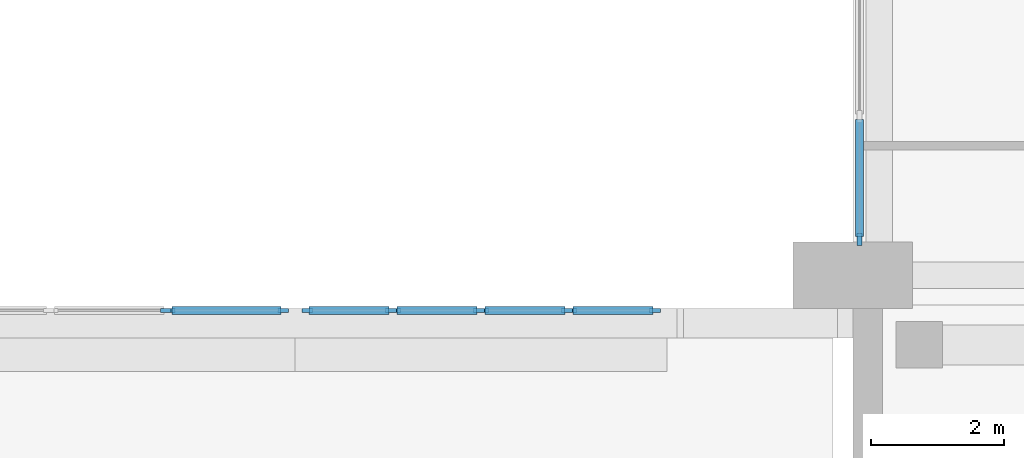
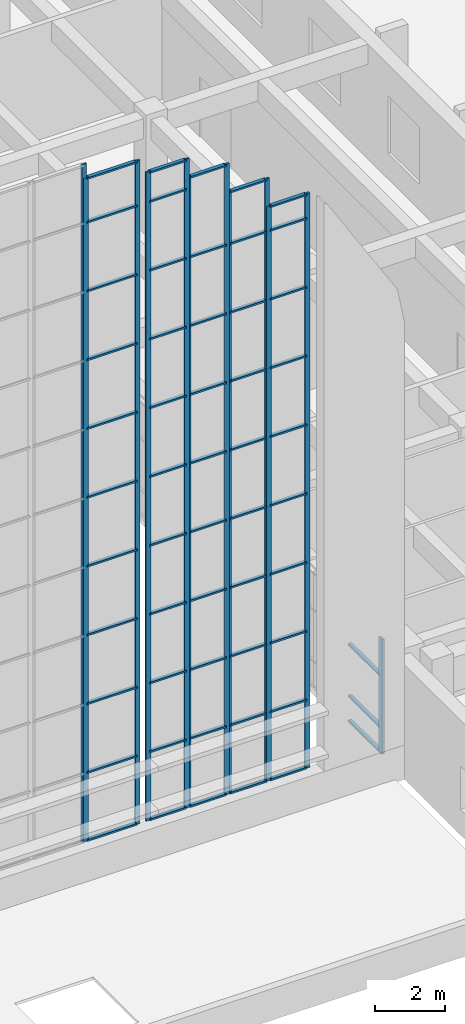
# One storey, part 5 of 45: 67 members, 7 elements without a shape of their own.
"""IFC4 building model written with IfcOpenShell, lengths in metres."""

from ifc_helpers import new_model, si_unit, direction, frame, origin, origin_2d, place, context, subcontext, project, spatial, rectangle, extrude, material, material_profile, profile_set, type_object, element, aggregate, save


model = new_model("IFC4")

# Units and contexts
model_context = context("Model", 3, precision=1e-05, world=origin(), true_north=direction((0.0, 1.0)))
body_context = subcontext(model_context, "Body", "Model", "MODEL_VIEW")
ifc_project = project(units=[si_unit("LENGTHUNIT", "METRE"), si_unit("AREAUNIT", "SQUARE_METRE"), si_unit("VOLUMEUNIT", "CUBIC_METRE"), si_unit("PLANEANGLEUNIT", "RADIAN"), si_unit("MASSUNIT", "GRAM", prefix="KILO")], contexts=[model_context])

# Site, building, storey
site_placement = place(None, origin())
site = spatial("IfcSite", under=ifc_project, at=site_placement, CompositionType="ELEMENT")
building_placement = place(site_placement, origin())
building = spatial("IfcBuilding", under=site, at=building_placement, Name="Elmora Arch Market Hall", CompositionType="ELEMENT")
storey_placement = place(building_placement, frame((0.0, 0.0, 6.0)))
storey = spatial("IfcBuildingStorey", under=building, at=storey_placement, Name="L01", CompositionType="ELEMENT", Elevation=6.0)

# Curtain wall, member
ifc_material_1 = material(Name="Aluminium", Category="aluminium")
curtain_wall_type_1 = type_object("IfcCurtainWallType", Name="Gable curtain wall", PredefinedType="NOTDEFINED", material=ifc_material_1)
curtain_wall_1_placement = place(storey_placement, origin())
curtain_wall_1 = element("IfcCurtainWall", 1, at=curtain_wall_1_placement, inside=storey, type_object=curtain_wall_type_1, Name="South gable glazing 9", PredefinedType="NOTDEFINED")
ifc_material_2 = material(Name="Aluminium", Category="aluminium")
ifc_material_profile_1 = material_profile(ifc_material_2, rectangle(XDim=0.06005859375, YDim=0.159912109375, at=origin_2d()), Name="AL 60x160")
ifc_profile_set_1 = profile_set([ifc_material_profile_1], Name="Aluminium")
member_type_1 = type_object("IfcMemberType", Name="Mullion 60x160", PredefinedType="MULLION", material=ifc_profile_set_1)
member_1_placement = place(storey_placement, frame((32.6533203125, 26.919921875, 1.199951171875), z_axis=(0.0, 0.0, 1.0), x_axis=(0.0, 1.0, 0.0)))
member_1 = element("IfcMember", 2, at=member_1_placement, type_object=member_type_1, Name="CW8 mullion 2", PredefinedType="MULLION", context=body_context, shape_type="SweptSolid", body=[
    extrude(rectangle(XDim=0.06005859375, YDim=0.159912109375, at=origin_2d()), origin(), (0.0, 0.0, 1.0), 23.650146484375),
])
aggregate(curtain_wall_1, [member_1])

# Curtain wall, members
curtain_wall_2_placement = place(storey_placement, origin())
curtain_wall_2 = element("IfcCurtainWall", 3, at=curtain_wall_2_placement, inside=storey, type_object=curtain_wall_type_1, Name="South gable glazing 10", PredefinedType="NOTDEFINED")
member_2_placement = place(storey_placement, frame((32.71337890625, 26.919921875, 1.199951171875), z_axis=(0.0, 0.0, 1.0), x_axis=(0.0, 1.0, 0.0)))
member_2 = element("IfcMember", 4, at=member_2_placement, type_object=member_type_1, Name="CW8 mullion 1", PredefinedType="MULLION", context=body_context, shape_type="SweptSolid", body=[
    extrude(rectangle(XDim=0.06005859375, YDim=0.159912109375, at=origin_2d()), origin(), (0.0, 0.0, 1.0), 23.157958984375),
])
member_3_placement = place(storey_placement, frame((34.419921875, 26.919921875, 1.199951171875), z_axis=(0.0, 0.0, 1.0), x_axis=(0.0, 1.0, 0.0)))
member_3 = element("IfcMember", 5, at=member_3_placement, type_object=member_type_1, Name="CW8 mullion 2", PredefinedType="MULLION", context=body_context, shape_type="SweptSolid", body=[
    extrude(rectangle(XDim=0.06005859375, YDim=0.159912109375, at=origin_2d()), origin(), (0.0, 0.0, 1.0), 23.157958984375),
])

curtain_wall_3_placement = place(storey_placement, origin())
curtain_wall_3 = element("IfcCurtainWall", 6, at=curtain_wall_3_placement, inside=storey, type_object=curtain_wall_type_1, Name="South gable glazing 11", PredefinedType="NOTDEFINED")
member_4_placement = place(storey_placement, frame((34.780029296875, 26.919921875, 1.199951171875), z_axis=(0.0, 0.0, 1.0), x_axis=(0.0, 1.0, 0.0)))
member_4 = element("IfcMember", 7, at=member_4_placement, type_object=member_type_1, Name="CW8 mullion 1", PredefinedType="MULLION", context=body_context, shape_type="SweptSolid", body=[
    extrude(rectangle(XDim=0.06005859375, YDim=0.159912109375, at=origin_2d()), origin(), (0.0, 0.0, 1.0), 22.64501953125),
])
member_5_placement = place(storey_placement, frame((36.044921875, 26.919921875, 1.199951171875), z_axis=(0.0, 0.0, 1.0), x_axis=(0.0, 1.0, 0.0)))
member_5 = element("IfcMember", 8, at=member_5_placement, type_object=member_type_1, Name="CW8 mullion 2", PredefinedType="MULLION", context=body_context, shape_type="SweptSolid", body=[
    extrude(rectangle(XDim=0.06005859375, YDim=0.159912109375, at=origin_2d()), origin(), (0.0, 0.0, 1.0), 22.64501953125),
])

curtain_wall_4_placement = place(storey_placement, origin())
curtain_wall_4 = element("IfcCurtainWall", 9, at=curtain_wall_4_placement, inside=storey, type_object=curtain_wall_type_1, Name="South gable glazing 12", PredefinedType="NOTDEFINED")
member_6_placement = place(storey_placement, frame((36.10498046875, 26.919921875, 1.199951171875), z_axis=(0.0, 0.0, 1.0), x_axis=(0.0, 1.0, 0.0)))
member_6 = element("IfcMember", 10, at=member_6_placement, type_object=member_type_1, Name="CW8 mullion 1", PredefinedType="MULLION", context=body_context, shape_type="SweptSolid", body=[
    extrude(rectangle(XDim=0.06005859375, YDim=0.159912109375, at=origin_2d()), origin(), (0.0, 0.0, 1.0), 22.007080078125),
])
member_7_placement = place(storey_placement, frame((37.3701171875, 26.919921875, 1.199951171875), z_axis=(0.0, 0.0, 1.0), x_axis=(0.0, 1.0, 0.0)))
member_7 = element("IfcMember", 11, at=member_7_placement, type_object=member_type_1, Name="CW8 mullion 2", PredefinedType="MULLION", context=body_context, shape_type="SweptSolid", body=[
    extrude(rectangle(XDim=0.06005859375, YDim=0.159912109375, at=origin_2d()), origin(), (0.0, 0.0, 1.0), 22.007080078125),
])

curtain_wall_5_placement = place(storey_placement, origin())
curtain_wall_5 = element("IfcCurtainWall", 12, at=curtain_wall_5_placement, inside=storey, type_object=curtain_wall_type_1, Name="South gable glazing 13", PredefinedType="NOTDEFINED")
member_8_placement = place(storey_placement, frame((37.429931640625, 26.919921875, 1.199951171875), z_axis=(0.0, 0.0, 1.0), x_axis=(0.0, 1.0, 0.0)))
member_8 = element("IfcMember", 13, at=member_8_placement, type_object=member_type_1, Name="CW8 mullion 1", PredefinedType="MULLION", context=body_context, shape_type="SweptSolid", body=[
    extrude(rectangle(XDim=0.06005859375, YDim=0.159912109375, at=origin_2d()), origin(), (0.0, 0.0, 1.0), 21.031982421875),
])
member_9_placement = place(storey_placement, frame((38.695068359375, 26.919921875, 1.199951171875), z_axis=(0.0, 0.0, 1.0), x_axis=(0.0, 1.0, 0.0)))
member_9 = element("IfcMember", 14, at=member_9_placement, type_object=member_type_1, Name="CW8 mullion 2", PredefinedType="MULLION", context=body_context, shape_type="SweptSolid", body=[
    extrude(rectangle(XDim=0.06005859375, YDim=0.159912109375, at=origin_2d()), origin(), (0.0, 0.0, 1.0), 21.031982421875),
])

curtain_wall_6_placement = place(storey_placement, origin())
curtain_wall_6 = element("IfcCurtainWall", 15, at=curtain_wall_6_placement, inside=storey, type_object=curtain_wall_type_1, Name="South gable glazing 14", PredefinedType="NOTDEFINED")
member_10_placement = place(storey_placement, frame((38.7548828125, 26.919921875, 1.199951171875), z_axis=(0.0, 0.0, 1.0), x_axis=(0.0, 1.0, 0.0)))
member_10 = element("IfcMember", 16, at=member_10_placement, type_object=member_type_1, Name="CW8 mullion 1", PredefinedType="MULLION", context=body_context, shape_type="SweptSolid", body=[
    extrude(rectangle(XDim=0.06005859375, YDim=0.159912109375, at=origin_2d()), origin(), (0.0, 0.0, 1.0), 20.05810546875),
])
member_11_placement = place(storey_placement, frame((40.02001953125, 26.919921875, 1.199951171875), z_axis=(0.0, 0.0, 1.0), x_axis=(0.0, 1.0, 0.0)))
member_11 = element("IfcMember", 17, at=member_11_placement, type_object=member_type_1, Name="CW8 mullion 2", PredefinedType="MULLION", context=body_context, shape_type="SweptSolid", body=[
    extrude(rectangle(XDim=0.06005859375, YDim=0.159912109375, at=origin_2d()), origin(), (0.0, 0.0, 1.0), 20.05810546875),
])

ifc_material_3 = material(Name="Aluminium", Category="aluminium")
curtain_wall_type_2 = type_object("IfcCurtainWallType", Name="Hall front curtain wall", PredefinedType="NOTDEFINED", material=ifc_material_3)
curtain_wall_7_placement = place(storey_placement, origin())
curtain_wall_7 = element("IfcCurtainWall", 18, at=curtain_wall_7_placement, inside=storey, type_object=curtain_wall_type_2, Name="Wing front E L01 1", PredefinedType="NOTDEFINED")
ifc_material_4 = material(Name="Aluminium", Category="aluminium")
ifc_material_profile_2 = material_profile(ifc_material_4, rectangle(XDim=0.080078125, YDim=0.179931640625, at=origin_2d()), Name="AL 80x180")
ifc_profile_set_2 = profile_set([ifc_material_profile_2], Name="Aluminium")
member_type_2 = type_object("IfcMemberType", Name="Mullion 80x180", PredefinedType="MULLION", material=ifc_profile_set_2)
member_12_placement = place(storey_placement, frame((43.10009765625, 27.989990234375, 0.0), z_axis=(0.0, 0.0, 1.0), x_axis=(-1.0, 0.0, 0.0)))
member_12 = element("IfcMember", 19, at=member_12_placement, type_object=member_type_2, Name="CW2 mullion 1", PredefinedType="MULLION", context=body_context, shape_type="SweptSolid", body=[
    extrude(rectangle(XDim=0.080078125, YDim=0.179931640625, at=origin_2d()), origin(), (0.0, 0.0, 1.0), 4.0),
])
ifc_material_5 = material(Name="Aluminium", Category="aluminium")
ifc_material_profile_3 = material_profile(ifc_material_5, rectangle(XDim=0.1201171875, YDim=0.06005859375, at=origin_2d()), Name="AL 120x60")
ifc_profile_set_3 = profile_set([ifc_material_profile_3], Name="Aluminium")
member_type_3 = type_object("IfcMemberType", Name="Transom 120x60", PredefinedType="USERDEFINED", material=ifc_profile_set_3)
member_13_placement = place(storey_placement, frame((43.10009765625, 28.030029296875, 0.030029296875), z_axis=(0.0, 1.0, 0.0), x_axis=(-1.0, 0.0, 0.0)))
member_13 = element("IfcMember", 20, at=member_13_placement, type_object=member_type_3, Name="CW2 transom 1.1", ObjectType="TRANSOM", PredefinedType="USERDEFINED", context=body_context, shape_type="SweptSolid", body=[
    extrude(rectangle(XDim=0.1201171875, YDim=0.06005859375, at=origin_2d()), origin(), (0.0, 0.0, 1.0), 1.767578125),
])
member_14_placement = place(storey_placement, frame((43.10009765625, 28.030029296875, 0.89990234375), z_axis=(0.0, 1.0, 0.0), x_axis=(-1.0, 0.0, 0.0)))
member_14 = element("IfcMember", 21, at=member_14_placement, type_object=member_type_3, Name="CW2 transom 1.2", ObjectType="TRANSOM", PredefinedType="USERDEFINED", context=body_context, shape_type="SweptSolid", body=[
    extrude(rectangle(XDim=0.1201171875, YDim=0.06005859375, at=origin_2d()), origin(), (0.0, 0.0, 1.0), 1.767578125),
])
member_15_placement = place(storey_placement, frame((43.10009765625, 28.030029296875, 2.699951171875), z_axis=(0.0, 1.0, 0.0), x_axis=(-1.0, 0.0, 0.0)))
member_15 = element("IfcMember", 22, at=member_15_placement, type_object=member_type_3, Name="CW2 transom 1.3", ObjectType="TRANSOM", PredefinedType="USERDEFINED", context=body_context, shape_type="SweptSolid", body=[
    extrude(rectangle(XDim=0.1201171875, YDim=0.06005859375, at=origin_2d()), origin(), (0.0, 0.0, 1.0), 1.767578125),
])
aggregate(curtain_wall_7, [member_12, member_13, member_14, member_15])

# Member
member_16_placement = place(storey_placement, frame((32.743408203125, 26.919921875, 1.22998046875), z_axis=(1.0, 0.0, 0.0), x_axis=(0.0, 1.0, 0.0)))
member_16 = element("IfcMember", 23, at=member_16_placement, type_object=member_type_3, Name="CW8 transom 1.1", ObjectType="TRANSOM", PredefinedType="USERDEFINED", context=body_context, shape_type="SweptSolid", body=[
    extrude(rectangle(XDim=0.1201171875, YDim=0.06005859375, at=origin_2d()), origin(), (0.0, 0.0, 1.0), 1.646484375),
])

member_17_placement = place(storey_placement, frame((32.743408203125, 26.919921875, 3.60009765625), z_axis=(1.0, 0.0, 0.0), x_axis=(0.0, 1.0, 0.0)))
member_17 = element("IfcMember", 24, at=member_17_placement, type_object=member_type_3, Name="CW8 transom 1.2", ObjectType="TRANSOM", PredefinedType="USERDEFINED", context=body_context, shape_type="SweptSolid", body=[
    extrude(rectangle(XDim=0.1201171875, YDim=0.06005859375, at=origin_2d()), origin(), (0.0, 0.0, 1.0), 1.646484375),
])

member_18_placement = place(storey_placement, frame((32.743408203125, 26.919921875, 6.0), z_axis=(1.0, 0.0, 0.0), x_axis=(0.0, 1.0, 0.0)))
member_18 = element("IfcMember", 25, at=member_18_placement, type_object=member_type_3, Name="CW8 transom 1.3", ObjectType="TRANSOM", PredefinedType="USERDEFINED", context=body_context, shape_type="SweptSolid", body=[
    extrude(rectangle(XDim=0.1201171875, YDim=0.06005859375, at=origin_2d()), origin(), (0.0, 0.0, 1.0), 1.646484375),
])

member_19_placement = place(storey_placement, frame((32.743408203125, 26.919921875, 8.39990234375), z_axis=(1.0, 0.0, 0.0), x_axis=(0.0, 1.0, 0.0)))
member_19 = element("IfcMember", 26, at=member_19_placement, type_object=member_type_3, Name="CW8 transom 1.4", ObjectType="TRANSOM", PredefinedType="USERDEFINED", context=body_context, shape_type="SweptSolid", body=[
    extrude(rectangle(XDim=0.1201171875, YDim=0.06005859375, at=origin_2d()), origin(), (0.0, 0.0, 1.0), 1.646484375),
])

member_20_placement = place(storey_placement, frame((32.743408203125, 26.919921875, 10.800048828125), z_axis=(1.0, 0.0, 0.0), x_axis=(0.0, 1.0, 0.0)))
member_20 = element("IfcMember", 27, at=member_20_placement, type_object=member_type_3, Name="CW8 transom 1.5", ObjectType="TRANSOM", PredefinedType="USERDEFINED", context=body_context, shape_type="SweptSolid", body=[
    extrude(rectangle(XDim=0.1201171875, YDim=0.06005859375, at=origin_2d()), origin(), (0.0, 0.0, 1.0), 1.646484375),
])

member_21_placement = place(storey_placement, frame((32.743408203125, 26.919921875, 13.199951171875), z_axis=(1.0, 0.0, 0.0), x_axis=(0.0, 1.0, 0.0)))
member_21 = element("IfcMember", 28, at=member_21_placement, type_object=member_type_3, Name="CW8 transom 1.6", ObjectType="TRANSOM", PredefinedType="USERDEFINED", context=body_context, shape_type="SweptSolid", body=[
    extrude(rectangle(XDim=0.1201171875, YDim=0.06005859375, at=origin_2d()), origin(), (0.0, 0.0, 1.0), 1.646484375),
])

member_22_placement = place(storey_placement, frame((32.743408203125, 26.919921875, 15.60009765625), z_axis=(1.0, 0.0, 0.0), x_axis=(0.0, 1.0, 0.0)))
member_22 = element("IfcMember", 29, at=member_22_placement, type_object=member_type_3, Name="CW8 transom 1.7", ObjectType="TRANSOM", PredefinedType="USERDEFINED", context=body_context, shape_type="SweptSolid", body=[
    extrude(rectangle(XDim=0.1201171875, YDim=0.06005859375, at=origin_2d()), origin(), (0.0, 0.0, 1.0), 1.646484375),
])

member_23_placement = place(storey_placement, frame((32.743408203125, 26.919921875, 18.0), z_axis=(1.0, 0.0, 0.0), x_axis=(0.0, 1.0, 0.0)))
member_23 = element("IfcMember", 30, at=member_23_placement, type_object=member_type_3, Name="CW8 transom 1.8", ObjectType="TRANSOM", PredefinedType="USERDEFINED", context=body_context, shape_type="SweptSolid", body=[
    extrude(rectangle(XDim=0.1201171875, YDim=0.06005859375, at=origin_2d()), origin(), (0.0, 0.0, 1.0), 1.646484375),
])

member_24_placement = place(storey_placement, frame((32.743408203125, 26.919921875, 20.39990234375), z_axis=(1.0, 0.0, 0.0), x_axis=(0.0, 1.0, 0.0)))
member_24 = element("IfcMember", 31, at=member_24_placement, type_object=member_type_3, Name="CW8 transom 1.9", ObjectType="TRANSOM", PredefinedType="USERDEFINED", context=body_context, shape_type="SweptSolid", body=[
    extrude(rectangle(XDim=0.1201171875, YDim=0.06005859375, at=origin_2d()), origin(), (0.0, 0.0, 1.0), 1.646484375),
])

member_25_placement = place(storey_placement, frame((32.743408203125, 26.919921875, 22.800048828125), z_axis=(1.0, 0.0, 0.0), x_axis=(0.0, 1.0, 0.0)))
member_25 = element("IfcMember", 32, at=member_25_placement, type_object=member_type_3, Name="CW8 transom 1.10", ObjectType="TRANSOM", PredefinedType="USERDEFINED", context=body_context, shape_type="SweptSolid", body=[
    extrude(rectangle(XDim=0.1201171875, YDim=0.06005859375, at=origin_2d()), origin(), (0.0, 0.0, 1.0), 1.646484375),
])

member_26_placement = place(storey_placement, frame((32.743408203125, 26.919921875, 24.327880859375), z_axis=(1.0, 0.0, 0.0), x_axis=(0.0, 1.0, 0.0)))
member_26 = element("IfcMember", 33, at=member_26_placement, type_object=member_type_3, Name="CW8 transom 1.11", ObjectType="TRANSOM", PredefinedType="USERDEFINED", context=body_context, shape_type="SweptSolid", body=[
    extrude(rectangle(XDim=0.1201171875, YDim=0.06005859375, at=origin_2d()), origin(), (0.0, 0.0, 1.0), 1.646484375),
])

aggregate(curtain_wall_2, [member_2, member_3, member_16, member_17, member_18, member_19, member_20, member_21, member_22, member_23, member_24, member_25, member_26])

member_27_placement = place(storey_placement, frame((34.81005859375, 26.919921875, 1.22998046875), z_axis=(1.0, 0.0, 0.0), x_axis=(0.0, 1.0, 0.0)))
member_27 = element("IfcMember", 34, at=member_27_placement, type_object=member_type_3, Name="CW8 transom 1.1", ObjectType="TRANSOM", PredefinedType="USERDEFINED", context=body_context, shape_type="SweptSolid", body=[
    extrude(rectangle(XDim=0.1201171875, YDim=0.06005859375, at=origin_2d()), origin(), (0.0, 0.0, 1.0), 1.204833984375),
])

member_28_placement = place(storey_placement, frame((34.81005859375, 26.919921875, 3.60009765625), z_axis=(1.0, 0.0, 0.0), x_axis=(0.0, 1.0, 0.0)))
member_28 = element("IfcMember", 35, at=member_28_placement, type_object=member_type_3, Name="CW8 transom 1.2", ObjectType="TRANSOM", PredefinedType="USERDEFINED", context=body_context, shape_type="SweptSolid", body=[
    extrude(rectangle(XDim=0.1201171875, YDim=0.06005859375, at=origin_2d()), origin(), (0.0, 0.0, 1.0), 1.204833984375),
])

member_29_placement = place(storey_placement, frame((34.81005859375, 26.919921875, 6.0), z_axis=(1.0, 0.0, 0.0), x_axis=(0.0, 1.0, 0.0)))
member_29 = element("IfcMember", 36, at=member_29_placement, type_object=member_type_3, Name="CW8 transom 1.3", ObjectType="TRANSOM", PredefinedType="USERDEFINED", context=body_context, shape_type="SweptSolid", body=[
    extrude(rectangle(XDim=0.1201171875, YDim=0.06005859375, at=origin_2d()), origin(), (0.0, 0.0, 1.0), 1.204833984375),
])

member_30_placement = place(storey_placement, frame((34.81005859375, 26.919921875, 8.39990234375), z_axis=(1.0, 0.0, 0.0), x_axis=(0.0, 1.0, 0.0)))
member_30 = element("IfcMember", 37, at=member_30_placement, type_object=member_type_3, Name="CW8 transom 1.4", ObjectType="TRANSOM", PredefinedType="USERDEFINED", context=body_context, shape_type="SweptSolid", body=[
    extrude(rectangle(XDim=0.1201171875, YDim=0.06005859375, at=origin_2d()), origin(), (0.0, 0.0, 1.0), 1.204833984375),
])

member_31_placement = place(storey_placement, frame((34.81005859375, 26.919921875, 10.800048828125), z_axis=(1.0, 0.0, 0.0), x_axis=(0.0, 1.0, 0.0)))
member_31 = element("IfcMember", 38, at=member_31_placement, type_object=member_type_3, Name="CW8 transom 1.5", ObjectType="TRANSOM", PredefinedType="USERDEFINED", context=body_context, shape_type="SweptSolid", body=[
    extrude(rectangle(XDim=0.1201171875, YDim=0.06005859375, at=origin_2d()), origin(), (0.0, 0.0, 1.0), 1.204833984375),
])

member_32_placement = place(storey_placement, frame((34.81005859375, 26.919921875, 13.199951171875), z_axis=(1.0, 0.0, 0.0), x_axis=(0.0, 1.0, 0.0)))
member_32 = element("IfcMember", 39, at=member_32_placement, type_object=member_type_3, Name="CW8 transom 1.6", ObjectType="TRANSOM", PredefinedType="USERDEFINED", context=body_context, shape_type="SweptSolid", body=[
    extrude(rectangle(XDim=0.1201171875, YDim=0.06005859375, at=origin_2d()), origin(), (0.0, 0.0, 1.0), 1.204833984375),
])

member_33_placement = place(storey_placement, frame((34.81005859375, 26.919921875, 15.60009765625), z_axis=(1.0, 0.0, 0.0), x_axis=(0.0, 1.0, 0.0)))
member_33 = element("IfcMember", 40, at=member_33_placement, type_object=member_type_3, Name="CW8 transom 1.7", ObjectType="TRANSOM", PredefinedType="USERDEFINED", context=body_context, shape_type="SweptSolid", body=[
    extrude(rectangle(XDim=0.1201171875, YDim=0.06005859375, at=origin_2d()), origin(), (0.0, 0.0, 1.0), 1.204833984375),
])

member_34_placement = place(storey_placement, frame((34.81005859375, 26.919921875, 18.0), z_axis=(1.0, 0.0, 0.0), x_axis=(0.0, 1.0, 0.0)))
member_34 = element("IfcMember", 41, at=member_34_placement, type_object=member_type_3, Name="CW8 transom 1.8", ObjectType="TRANSOM", PredefinedType="USERDEFINED", context=body_context, shape_type="SweptSolid", body=[
    extrude(rectangle(XDim=0.1201171875, YDim=0.06005859375, at=origin_2d()), origin(), (0.0, 0.0, 1.0), 1.204833984375),
])

member_35_placement = place(storey_placement, frame((34.81005859375, 26.919921875, 20.39990234375), z_axis=(1.0, 0.0, 0.0), x_axis=(0.0, 1.0, 0.0)))
member_35 = element("IfcMember", 42, at=member_35_placement, type_object=member_type_3, Name="CW8 transom 1.9", ObjectType="TRANSOM", PredefinedType="USERDEFINED", context=body_context, shape_type="SweptSolid", body=[
    extrude(rectangle(XDim=0.1201171875, YDim=0.06005859375, at=origin_2d()), origin(), (0.0, 0.0, 1.0), 1.204833984375),
])

member_36_placement = place(storey_placement, frame((34.81005859375, 26.919921875, 22.800048828125), z_axis=(1.0, 0.0, 0.0), x_axis=(0.0, 1.0, 0.0)))
member_36 = element("IfcMember", 43, at=member_36_placement, type_object=member_type_3, Name="CW8 transom 1.10", ObjectType="TRANSOM", PredefinedType="USERDEFINED", context=body_context, shape_type="SweptSolid", body=[
    extrude(rectangle(XDim=0.1201171875, YDim=0.06005859375, at=origin_2d()), origin(), (0.0, 0.0, 1.0), 1.204833984375),
])

member_37_placement = place(storey_placement, frame((34.81005859375, 26.919921875, 23.81494140625), z_axis=(1.0, 0.0, 0.0), x_axis=(0.0, 1.0, 0.0)))
member_37 = element("IfcMember", 44, at=member_37_placement, type_object=member_type_3, Name="CW8 transom 1.11", ObjectType="TRANSOM", PredefinedType="USERDEFINED", context=body_context, shape_type="SweptSolid", body=[
    extrude(rectangle(XDim=0.1201171875, YDim=0.06005859375, at=origin_2d()), origin(), (0.0, 0.0, 1.0), 1.204833984375),
])

aggregate(curtain_wall_3, [member_4, member_5, member_27, member_28, member_29, member_30, member_31, member_32, member_33, member_34, member_35, member_36, member_37])

member_38_placement = place(storey_placement, frame((36.135009765625, 26.919921875, 1.22998046875), z_axis=(1.0, 0.0, 0.0), x_axis=(0.0, 1.0, 0.0)))
member_38 = element("IfcMember", 45, at=member_38_placement, type_object=member_type_3, Name="CW8 transom 1.1", ObjectType="TRANSOM", PredefinedType="USERDEFINED", context=body_context, shape_type="SweptSolid", body=[
    extrude(rectangle(XDim=0.1201171875, YDim=0.06005859375, at=origin_2d()), origin(), (0.0, 0.0, 1.0), 1.205078125),
])

member_39_placement = place(storey_placement, frame((36.135009765625, 26.919921875, 3.60009765625), z_axis=(1.0, 0.0, 0.0), x_axis=(0.0, 1.0, 0.0)))
member_39 = element("IfcMember", 46, at=member_39_placement, type_object=member_type_3, Name="CW8 transom 1.2", ObjectType="TRANSOM", PredefinedType="USERDEFINED", context=body_context, shape_type="SweptSolid", body=[
    extrude(rectangle(XDim=0.1201171875, YDim=0.06005859375, at=origin_2d()), origin(), (0.0, 0.0, 1.0), 1.205078125),
])

member_40_placement = place(storey_placement, frame((36.135009765625, 26.919921875, 6.0), z_axis=(1.0, 0.0, 0.0), x_axis=(0.0, 1.0, 0.0)))
member_40 = element("IfcMember", 47, at=member_40_placement, type_object=member_type_3, Name="CW8 transom 1.3", ObjectType="TRANSOM", PredefinedType="USERDEFINED", context=body_context, shape_type="SweptSolid", body=[
    extrude(rectangle(XDim=0.1201171875, YDim=0.06005859375, at=origin_2d()), origin(), (0.0, 0.0, 1.0), 1.205078125),
])

member_41_placement = place(storey_placement, frame((36.135009765625, 26.919921875, 8.39990234375), z_axis=(1.0, 0.0, 0.0), x_axis=(0.0, 1.0, 0.0)))
member_41 = element("IfcMember", 48, at=member_41_placement, type_object=member_type_3, Name="CW8 transom 1.4", ObjectType="TRANSOM", PredefinedType="USERDEFINED", context=body_context, shape_type="SweptSolid", body=[
    extrude(rectangle(XDim=0.1201171875, YDim=0.06005859375, at=origin_2d()), origin(), (0.0, 0.0, 1.0), 1.205078125),
])

member_42_placement = place(storey_placement, frame((36.135009765625, 26.919921875, 10.800048828125), z_axis=(1.0, 0.0, 0.0), x_axis=(0.0, 1.0, 0.0)))
member_42 = element("IfcMember", 49, at=member_42_placement, type_object=member_type_3, Name="CW8 transom 1.5", ObjectType="TRANSOM", PredefinedType="USERDEFINED", context=body_context, shape_type="SweptSolid", body=[
    extrude(rectangle(XDim=0.1201171875, YDim=0.06005859375, at=origin_2d()), origin(), (0.0, 0.0, 1.0), 1.205078125),
])

member_43_placement = place(storey_placement, frame((36.135009765625, 26.919921875, 13.199951171875), z_axis=(1.0, 0.0, 0.0), x_axis=(0.0, 1.0, 0.0)))
member_43 = element("IfcMember", 50, at=member_43_placement, type_object=member_type_3, Name="CW8 transom 1.6", ObjectType="TRANSOM", PredefinedType="USERDEFINED", context=body_context, shape_type="SweptSolid", body=[
    extrude(rectangle(XDim=0.1201171875, YDim=0.06005859375, at=origin_2d()), origin(), (0.0, 0.0, 1.0), 1.205078125),
])

member_44_placement = place(storey_placement, frame((36.135009765625, 26.919921875, 15.60009765625), z_axis=(1.0, 0.0, 0.0), x_axis=(0.0, 1.0, 0.0)))
member_44 = element("IfcMember", 51, at=member_44_placement, type_object=member_type_3, Name="CW8 transom 1.7", ObjectType="TRANSOM", PredefinedType="USERDEFINED", context=body_context, shape_type="SweptSolid", body=[
    extrude(rectangle(XDim=0.1201171875, YDim=0.06005859375, at=origin_2d()), origin(), (0.0, 0.0, 1.0), 1.205078125),
])

member_45_placement = place(storey_placement, frame((36.135009765625, 26.919921875, 18.0), z_axis=(1.0, 0.0, 0.0), x_axis=(0.0, 1.0, 0.0)))
member_45 = element("IfcMember", 52, at=member_45_placement, type_object=member_type_3, Name="CW8 transom 1.8", ObjectType="TRANSOM", PredefinedType="USERDEFINED", context=body_context, shape_type="SweptSolid", body=[
    extrude(rectangle(XDim=0.1201171875, YDim=0.06005859375, at=origin_2d()), origin(), (0.0, 0.0, 1.0), 1.205078125),
])

member_46_placement = place(storey_placement, frame((36.135009765625, 26.919921875, 20.39990234375), z_axis=(1.0, 0.0, 0.0), x_axis=(0.0, 1.0, 0.0)))
member_46 = element("IfcMember", 53, at=member_46_placement, type_object=member_type_3, Name="CW8 transom 1.9", ObjectType="TRANSOM", PredefinedType="USERDEFINED", context=body_context, shape_type="SweptSolid", body=[
    extrude(rectangle(XDim=0.1201171875, YDim=0.06005859375, at=origin_2d()), origin(), (0.0, 0.0, 1.0), 1.205078125),
])

member_47_placement = place(storey_placement, frame((36.135009765625, 26.919921875, 23.177001953125), z_axis=(1.0, 0.0, 0.0), x_axis=(0.0, 1.0, 0.0)))
member_47 = element("IfcMember", 54, at=member_47_placement, type_object=member_type_3, Name="CW8 transom 1.10", ObjectType="TRANSOM", PredefinedType="USERDEFINED", context=body_context, shape_type="SweptSolid", body=[
    extrude(rectangle(XDim=0.1201171875, YDim=0.06005859375, at=origin_2d()), origin(), (0.0, 0.0, 1.0), 1.205078125),
])

aggregate(curtain_wall_4, [member_6, member_7, member_38, member_39, member_40, member_41, member_42, member_43, member_44, member_45, member_46, member_47])

member_48_placement = place(storey_placement, frame((37.4599609375, 26.919921875, 1.22998046875), z_axis=(1.0, 0.0, 0.0), x_axis=(0.0, 1.0, 0.0)))
member_48 = element("IfcMember", 55, at=member_48_placement, type_object=member_type_3, Name="CW8 transom 1.1", ObjectType="TRANSOM", PredefinedType="USERDEFINED", context=body_context, shape_type="SweptSolid", body=[
    extrude(rectangle(XDim=0.1201171875, YDim=0.06005859375, at=origin_2d()), origin(), (0.0, 0.0, 1.0), 1.205078125),
])

member_49_placement = place(storey_placement, frame((37.4599609375, 26.919921875, 3.60009765625), z_axis=(1.0, 0.0, 0.0), x_axis=(0.0, 1.0, 0.0)))
member_49 = element("IfcMember", 56, at=member_49_placement, type_object=member_type_3, Name="CW8 transom 1.2", ObjectType="TRANSOM", PredefinedType="USERDEFINED", context=body_context, shape_type="SweptSolid", body=[
    extrude(rectangle(XDim=0.1201171875, YDim=0.06005859375, at=origin_2d()), origin(), (0.0, 0.0, 1.0), 1.205078125),
])

member_50_placement = place(storey_placement, frame((37.4599609375, 26.919921875, 6.0), z_axis=(1.0, 0.0, 0.0), x_axis=(0.0, 1.0, 0.0)))
member_50 = element("IfcMember", 57, at=member_50_placement, type_object=member_type_3, Name="CW8 transom 1.3", ObjectType="TRANSOM", PredefinedType="USERDEFINED", context=body_context, shape_type="SweptSolid", body=[
    extrude(rectangle(XDim=0.1201171875, YDim=0.06005859375, at=origin_2d()), origin(), (0.0, 0.0, 1.0), 1.205078125),
])

member_51_placement = place(storey_placement, frame((37.4599609375, 26.919921875, 8.39990234375), z_axis=(1.0, 0.0, 0.0), x_axis=(0.0, 1.0, 0.0)))
member_51 = element("IfcMember", 58, at=member_51_placement, type_object=member_type_3, Name="CW8 transom 1.4", ObjectType="TRANSOM", PredefinedType="USERDEFINED", context=body_context, shape_type="SweptSolid", body=[
    extrude(rectangle(XDim=0.1201171875, YDim=0.06005859375, at=origin_2d()), origin(), (0.0, 0.0, 1.0), 1.205078125),
])

member_52_placement = place(storey_placement, frame((37.4599609375, 26.919921875, 10.800048828125), z_axis=(1.0, 0.0, 0.0), x_axis=(0.0, 1.0, 0.0)))
member_52 = element("IfcMember", 59, at=member_52_placement, type_object=member_type_3, Name="CW8 transom 1.5", ObjectType="TRANSOM", PredefinedType="USERDEFINED", context=body_context, shape_type="SweptSolid", body=[
    extrude(rectangle(XDim=0.1201171875, YDim=0.06005859375, at=origin_2d()), origin(), (0.0, 0.0, 1.0), 1.205078125),
])

member_53_placement = place(storey_placement, frame((37.4599609375, 26.919921875, 13.199951171875), z_axis=(1.0, 0.0, 0.0), x_axis=(0.0, 1.0, 0.0)))
member_53 = element("IfcMember", 60, at=member_53_placement, type_object=member_type_3, Name="CW8 transom 1.6", ObjectType="TRANSOM", PredefinedType="USERDEFINED", context=body_context, shape_type="SweptSolid", body=[
    extrude(rectangle(XDim=0.1201171875, YDim=0.06005859375, at=origin_2d()), origin(), (0.0, 0.0, 1.0), 1.205078125),
])

member_54_placement = place(storey_placement, frame((37.4599609375, 26.919921875, 15.60009765625), z_axis=(1.0, 0.0, 0.0), x_axis=(0.0, 1.0, 0.0)))
member_54 = element("IfcMember", 61, at=member_54_placement, type_object=member_type_3, Name="CW8 transom 1.7", ObjectType="TRANSOM", PredefinedType="USERDEFINED", context=body_context, shape_type="SweptSolid", body=[
    extrude(rectangle(XDim=0.1201171875, YDim=0.06005859375, at=origin_2d()), origin(), (0.0, 0.0, 1.0), 1.205078125),
])

member_55_placement = place(storey_placement, frame((37.4599609375, 26.919921875, 18.0), z_axis=(1.0, 0.0, 0.0), x_axis=(0.0, 1.0, 0.0)))
member_55 = element("IfcMember", 62, at=member_55_placement, type_object=member_type_3, Name="CW8 transom 1.8", ObjectType="TRANSOM", PredefinedType="USERDEFINED", context=body_context, shape_type="SweptSolid", body=[
    extrude(rectangle(XDim=0.1201171875, YDim=0.06005859375, at=origin_2d()), origin(), (0.0, 0.0, 1.0), 1.205078125),
])

member_56_placement = place(storey_placement, frame((37.4599609375, 26.919921875, 20.39990234375), z_axis=(1.0, 0.0, 0.0), x_axis=(0.0, 1.0, 0.0)))
member_56 = element("IfcMember", 63, at=member_56_placement, type_object=member_type_3, Name="CW8 transom 1.9", ObjectType="TRANSOM", PredefinedType="USERDEFINED", context=body_context, shape_type="SweptSolid", body=[
    extrude(rectangle(XDim=0.1201171875, YDim=0.06005859375, at=origin_2d()), origin(), (0.0, 0.0, 1.0), 1.205078125),
])

member_57_placement = place(storey_placement, frame((37.4599609375, 26.919921875, 22.201904296875), z_axis=(1.0, 0.0, 0.0), x_axis=(0.0, 1.0, 0.0)))
member_57 = element("IfcMember", 64, at=member_57_placement, type_object=member_type_3, Name="CW8 transom 1.10", ObjectType="TRANSOM", PredefinedType="USERDEFINED", context=body_context, shape_type="SweptSolid", body=[
    extrude(rectangle(XDim=0.1201171875, YDim=0.06005859375, at=origin_2d()), origin(), (0.0, 0.0, 1.0), 1.205078125),
])

aggregate(curtain_wall_5, [member_8, member_9, member_48, member_49, member_50, member_51, member_52, member_53, member_54, member_55, member_56, member_57])

member_58_placement = place(storey_placement, frame((38.784912109375, 26.919921875, 1.22998046875), z_axis=(1.0, 0.0, 0.0), x_axis=(0.0, 1.0, 0.0)))
member_58 = element("IfcMember", 65, at=member_58_placement, type_object=member_type_3, Name="CW8 transom 1.1", ObjectType="TRANSOM", PredefinedType="USERDEFINED", context=body_context, shape_type="SweptSolid", body=[
    extrude(rectangle(XDim=0.1201171875, YDim=0.06005859375, at=origin_2d()), origin(), (0.0, 0.0, 1.0), 1.205078125),
])

member_59_placement = place(storey_placement, frame((38.784912109375, 26.919921875, 3.60009765625), z_axis=(1.0, 0.0, 0.0), x_axis=(0.0, 1.0, 0.0)))
member_59 = element("IfcMember", 66, at=member_59_placement, type_object=member_type_3, Name="CW8 transom 1.2", ObjectType="TRANSOM", PredefinedType="USERDEFINED", context=body_context, shape_type="SweptSolid", body=[
    extrude(rectangle(XDim=0.1201171875, YDim=0.06005859375, at=origin_2d()), origin(), (0.0, 0.0, 1.0), 1.205078125),
])

member_60_placement = place(storey_placement, frame((38.784912109375, 26.919921875, 6.0), z_axis=(1.0, 0.0, 0.0), x_axis=(0.0, 1.0, 0.0)))
member_60 = element("IfcMember", 67, at=member_60_placement, type_object=member_type_3, Name="CW8 transom 1.3", ObjectType="TRANSOM", PredefinedType="USERDEFINED", context=body_context, shape_type="SweptSolid", body=[
    extrude(rectangle(XDim=0.1201171875, YDim=0.06005859375, at=origin_2d()), origin(), (0.0, 0.0, 1.0), 1.205078125),
])

member_61_placement = place(storey_placement, frame((38.784912109375, 26.919921875, 8.39990234375), z_axis=(1.0, 0.0, 0.0), x_axis=(0.0, 1.0, 0.0)))
member_61 = element("IfcMember", 68, at=member_61_placement, type_object=member_type_3, Name="CW8 transom 1.4", ObjectType="TRANSOM", PredefinedType="USERDEFINED", context=body_context, shape_type="SweptSolid", body=[
    extrude(rectangle(XDim=0.1201171875, YDim=0.06005859375, at=origin_2d()), origin(), (0.0, 0.0, 1.0), 1.205078125),
])

member_62_placement = place(storey_placement, frame((38.784912109375, 26.919921875, 10.800048828125), z_axis=(1.0, 0.0, 0.0), x_axis=(0.0, 1.0, 0.0)))
member_62 = element("IfcMember", 69, at=member_62_placement, type_object=member_type_3, Name="CW8 transom 1.5", ObjectType="TRANSOM", PredefinedType="USERDEFINED", context=body_context, shape_type="SweptSolid", body=[
    extrude(rectangle(XDim=0.1201171875, YDim=0.06005859375, at=origin_2d()), origin(), (0.0, 0.0, 1.0), 1.205078125),
])

member_63_placement = place(storey_placement, frame((38.784912109375, 26.919921875, 13.199951171875), z_axis=(1.0, 0.0, 0.0), x_axis=(0.0, 1.0, 0.0)))
member_63 = element("IfcMember", 70, at=member_63_placement, type_object=member_type_3, Name="CW8 transom 1.6", ObjectType="TRANSOM", PredefinedType="USERDEFINED", context=body_context, shape_type="SweptSolid", body=[
    extrude(rectangle(XDim=0.1201171875, YDim=0.06005859375, at=origin_2d()), origin(), (0.0, 0.0, 1.0), 1.205078125),
])

member_64_placement = place(storey_placement, frame((38.784912109375, 26.919921875, 15.60009765625), z_axis=(1.0, 0.0, 0.0), x_axis=(0.0, 1.0, 0.0)))
member_64 = element("IfcMember", 71, at=member_64_placement, type_object=member_type_3, Name="CW8 transom 1.7", ObjectType="TRANSOM", PredefinedType="USERDEFINED", context=body_context, shape_type="SweptSolid", body=[
    extrude(rectangle(XDim=0.1201171875, YDim=0.06005859375, at=origin_2d()), origin(), (0.0, 0.0, 1.0), 1.205078125),
])

member_65_placement = place(storey_placement, frame((38.784912109375, 26.919921875, 18.0), z_axis=(1.0, 0.0, 0.0), x_axis=(0.0, 1.0, 0.0)))
member_65 = element("IfcMember", 72, at=member_65_placement, type_object=member_type_3, Name="CW8 transom 1.8", ObjectType="TRANSOM", PredefinedType="USERDEFINED", context=body_context, shape_type="SweptSolid", body=[
    extrude(rectangle(XDim=0.1201171875, YDim=0.06005859375, at=origin_2d()), origin(), (0.0, 0.0, 1.0), 1.205078125),
])

member_66_placement = place(storey_placement, frame((38.784912109375, 26.919921875, 20.39990234375), z_axis=(1.0, 0.0, 0.0), x_axis=(0.0, 1.0, 0.0)))
member_66 = element("IfcMember", 73, at=member_66_placement, type_object=member_type_3, Name="CW8 transom 1.9", ObjectType="TRANSOM", PredefinedType="USERDEFINED", context=body_context, shape_type="SweptSolid", body=[
    extrude(rectangle(XDim=0.1201171875, YDim=0.06005859375, at=origin_2d()), origin(), (0.0, 0.0, 1.0), 1.205078125),
])

member_67_placement = place(storey_placement, frame((38.784912109375, 26.919921875, 21.22802734375), z_axis=(1.0, 0.0, 0.0), x_axis=(0.0, 1.0, 0.0)))
member_67 = element("IfcMember", 74, at=member_67_placement, type_object=member_type_3, Name="CW8 transom 1.10", ObjectType="TRANSOM", PredefinedType="USERDEFINED", context=body_context, shape_type="SweptSolid", body=[
    extrude(rectangle(XDim=0.1201171875, YDim=0.06005859375, at=origin_2d()), origin(), (0.0, 0.0, 1.0), 1.205078125),
])

aggregate(curtain_wall_6, [member_10, member_11, member_58, member_59, member_60, member_61, member_62, member_63, member_64, member_65, member_66, member_67])

save(model, "model.ifc")
